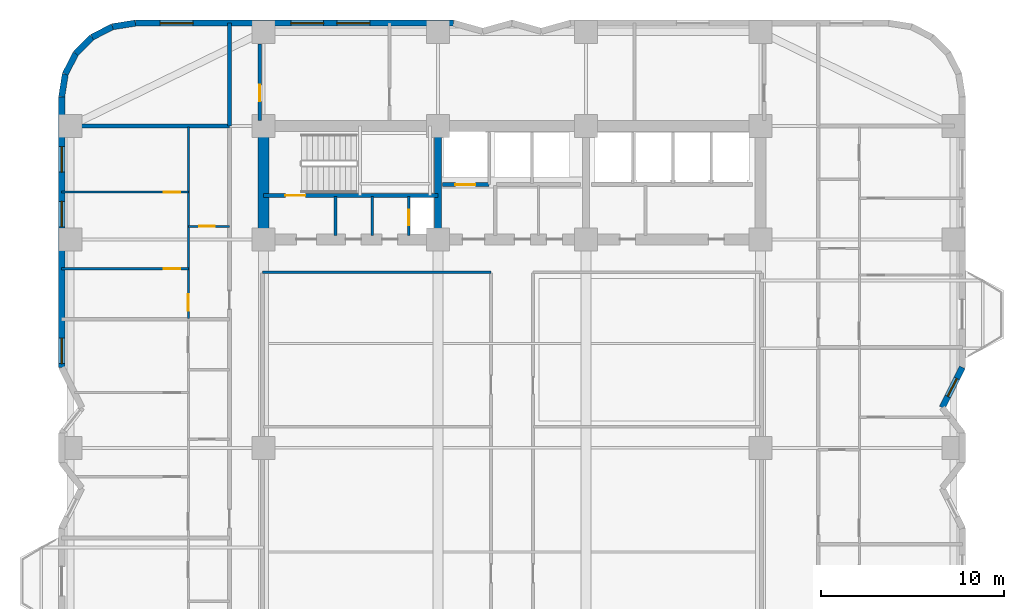
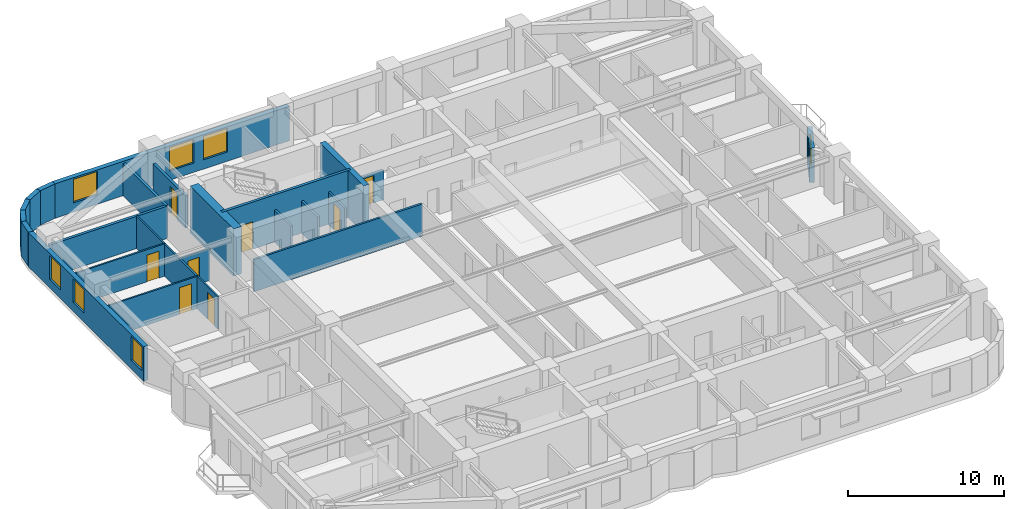
# One storey, part 6 of 10: 23 walls, 8 doors, 7 windows, 15 openings.
"""IFC4 building model written with IfcOpenShell, lengths in metres."""

from ifc_helpers import new_model, si_unit, direction, frame, frame_2d, origin, place, context, subcontext, project, spatial, rectangle, extrude, material, layer, layer_set, type_object, element, fill, save


model = new_model("IFC4")

# Units and contexts
model_context = context("Model", 3, precision=1e-05, world=origin(), true_north=direction((0.0, 1.0)))
body_context = subcontext(model_context, "Body", "Model", "MODEL_VIEW")
ifc_project = project(units=[si_unit("LENGTHUNIT", "METRE"), si_unit("AREAUNIT", "SQUARE_METRE"), si_unit("VOLUMEUNIT", "CUBIC_METRE"), si_unit("PLANEANGLEUNIT", "RADIAN"), si_unit("MASSUNIT", "GRAM", prefix="KILO")], contexts=[model_context])

# Site, building, storey
site_placement = place(None, origin())
site = spatial("IfcSite", under=ifc_project, at=site_placement, CompositionType="ELEMENT")
building_placement = place(site_placement, origin())
building = spatial("IfcBuilding", under=site, at=building_placement, Name="Svetorya Sky Lyceum", CompositionType="ELEMENT")
storey_placement = place(building_placement, frame((0.0, 0.0, 69.5)))
storey = spatial("IfcBuildingStorey", under=building, at=storey_placement, Name="L17", CompositionType="ELEMENT", Elevation=69.5)

# Walls
ifc_material_1 = material(Name="Concrete C40/50", Category="concrete")
ifc_layer_1 = layer(ifc_material_1, 0.39990234375)
ifc_layer_set_1 = layer_set([ifc_layer_1], Name="Concrete C40/50")
wall_type_1 = type_object("IfcWallType", Name="WL-CORE-400", PredefinedType="SHEAR", material=ifc_layer_set_1)
wall_1_placement = place(storey_placement, frame((35.14990234375, 39.89990234375, 0.0), z_axis=(0.0, 0.0, 1.0), x_axis=(0.0, 1.0, 0.0)))
element("IfcWall", 1, at=wall_1_placement, inside=storey, type_object=wall_type_1, Name="L17 NC Internal Shear Web WEB1", PredefinedType="SHEAR", context=body_context, shape_type="SweptSolid", body=[
    extrude(rectangle(XDim=5.60009765625, YDim=0.39990234375, at=frame_2d((2.800048828125, 0.0))), origin(), (0.0, 0.0, 1.0), 3.699951171875),
])
ifc_material_2 = material(Name="Concrete C60/75", Category="concrete")
ifc_layer_2 = layer(ifc_material_2, 0.60009765625)
ifc_layer_set_2 = layer_set([ifc_layer_2], Name="Concrete C60/75")
wall_type_2 = type_object("IfcWallType", Name="WL-CORE-600", PredefinedType="SHEAR", material=ifc_layer_set_2)
wall_2_placement = place(storey_placement, frame((25.60009765625, 39.89990234375, 0.0), z_axis=(0.0, 0.0, 1.0), x_axis=(0.0, 1.0, 0.0)))
element("IfcWall", 2, at=wall_2_placement, inside=storey, type_object=wall_type_2, Name="L17 NC West Core Shear Wall", PredefinedType="SHEAR", context=body_context, shape_type="SweptSolid", body=[
    extrude(rectangle(XDim=5.60009765625, YDim=0.60009765625, at=frame_2d((2.800048828125, 0.0))), origin(), (0.0, 0.0, 1.0), 3.699951171875),
])

# Wall, opening, window
ifc_material_3 = material(Name="Putilovo limestone rainscreen on autoclaved cellular masonry", Category="masonry")
ifc_layer_3 = layer(ifc_material_3, 0.340087890625)
ifc_layer_set_3 = layer_set([ifc_layer_3], Name="Putilovo limestone rainscreen on autoclaved cellular masonry")
wall_type_3 = type_object("IfcWallType", Name="WL-EXT-340", PredefinedType="SOLIDWALL", material=ifc_layer_set_3)
wall_3_placement = place(storey_placement, frame((62.72998046875, 30.39990234375, 0.0), z_axis=(0.0, 0.0, 1.0), x_axis=(0.4472135955, 0.894427191, 0.0)))
wall_3 = element("IfcWall", 3, at=wall_3_placement, inside=storey, type_object=wall_type_3, Name="L17 Limestone Exterior Wall 22M", PredefinedType="SOLIDWALL", context=body_context, shape_type="SweptSolid", body=[
    extrude(rectangle(XDim=2.4599609375, YDim=0.340087890625, at=frame_2d((1.22998046875, 0.0))), origin(), (0.0, 0.0, 1.0), 2.699951171875),
])
opening_1_placement = place(wall_3_placement, frame((0.6796875, 0.0, 0.889892578125)))
opening_1 = element("IfcOpeningElement", 4, at=opening_1_placement, cuts=wall_3, Name="Opening W-R3", PredefinedType="OPENING", context=body_context, shape_type="SweptSolid", body=[
    extrude(rectangle(XDim=1.10009765625, YDim=1.64990234375, at=frame_2d((0.550048828125, 0.824951171875))), frame((0.0, 0.179931640625, 0.0), z_axis=(0.0, -1.0, 0.0), x_axis=(1.0, 0.0, 0.0)), (0.0, 0.0, 1.0), 0.360107421875),
])
ifc_material_4 = material(Name="Thermally broken aluminium frame with triple low-E glazing", Category="aluminium")
window_type_1 = type_object("IfcWindowType", Name="WN-RES-110", PartitioningType="SINGLE_PANEL", PredefinedType="WINDOW", material=ifc_material_4)
window_1_placement = place(opening_1_placement, origin())
window_1 = element("IfcWindow", 5, at=window_1_placement, inside=storey, type_object=window_type_1, Name="L17 Facade Window W-R3.22M.1", OverallHeight=1.64990234375, OverallWidth=1.10009765625, PartitioningType="SINGLE_PANEL", PredefinedType="WINDOW", context=body_context, shape_type="SweptSolid", body=[
    extrude(rectangle(XDim=1.10009765625, YDim=1.64990234375, at=frame_2d((0.550048828125, 0.824951171875))), frame((0.0, 0.030029296875, 0.0), z_axis=(0.0, -1.0, 0.0), x_axis=(1.0, 0.0, 0.0)), (0.0, 0.0, 1.0), 0.06005859375),
])
fill(opening_1, window_1)

# Wall, openings, windows
wall_4_placement = place(storey_placement, frame((36.0, 51.429931640625, 0.0), z_axis=(0.0, 0.0, 1.0), x_axis=(-1.0, 0.0, 0.0)))
wall_4 = element("IfcWall", 6, at=wall_4_placement, inside=storey, type_object=wall_type_3, Name="L17 Limestone Exterior Wall 34M", PredefinedType="SOLIDWALL", context=body_context, shape_type="SweptSolid", body=[
    extrude(rectangle(XDim=17.39990234375, YDim=0.340087890625, at=frame_2d((8.699951171875, 0.0))), origin(), (0.0, 0.0, 1.0), 2.699951171875),
])
opening_2_placement = place(wall_4_placement, frame((4.580078125, 0.0, 0.72998046875)))
opening_2 = element("IfcOpeningElement", 7, at=opening_2_placement, cuts=wall_4, Name="Opening W-R1", PredefinedType="OPENING", context=body_context, shape_type="SweptSolid", body=[
    extrude(rectangle(XDim=1.800048828125, YDim=1.85009765625, at=frame_2d((0.89990234375, 0.925048828125))), frame((0.0, 0.179931640625, 0.0), z_axis=(0.0, -1.0, 0.0), x_axis=(1.0, 0.0, 0.0)), (0.0, 0.0, 1.0), 0.360107421875),
])
opening_3_placement = place(wall_4_placement, frame((7.10009765625, 0.0, 0.72998046875)))
opening_3 = element("IfcOpeningElement", 8, at=opening_3_placement, cuts=wall_4, Name="Opening W-R1", PredefinedType="OPENING", context=body_context, shape_type="SweptSolid", body=[
    extrude(rectangle(XDim=1.800048828125, YDim=1.85009765625, at=frame_2d((0.89990234375, 0.925048828125))), frame((0.0, 0.179931640625, 0.0), z_axis=(0.0, -1.0, 0.0), x_axis=(1.0, 0.0, 0.0)), (0.0, 0.0, 1.0), 0.360107421875),
])
opening_4_placement = place(wall_4_placement, frame((14.239990234375, 0.0, 0.72998046875)))
opening_4 = element("IfcOpeningElement", 9, at=opening_4_placement, cuts=wall_4, Name="Opening W-R1", PredefinedType="OPENING", context=body_context, shape_type="SweptSolid", body=[
    extrude(rectangle(XDim=1.800048828125, YDim=1.85009765625, at=frame_2d((0.89990234375, 0.925048828125))), frame((0.0, 0.179931640625, 0.0), z_axis=(0.0, -1.0, 0.0), x_axis=(1.0, 0.0, 0.0)), (0.0, 0.0, 1.0), 0.360107421875),
])
window_type_2 = type_object("IfcWindowType", Name="WN-RES-180", PartitioningType="DOUBLE_PANEL_VERTICAL", PredefinedType="WINDOW", material=ifc_material_4)
window_2_placement = place(opening_2_placement, origin())
window_2 = element("IfcWindow", 10, at=window_2_placement, inside=storey, type_object=window_type_2, Name="L17 Facade Window W-R1.34M.1", OverallHeight=1.85009765625, OverallWidth=1.800048828125, PartitioningType="SINGLE_PANEL", PredefinedType="WINDOW", context=body_context, shape_type="SweptSolid", body=[
    extrude(rectangle(XDim=1.800048828125, YDim=1.85009765625, at=frame_2d((0.89990234375, 0.925048828125))), frame((0.0, 0.030029296875, 0.0), z_axis=(0.0, -1.0, 0.0), x_axis=(1.0, 0.0, 0.0)), (0.0, 0.0, 1.0), 0.06005859375),
])
fill(opening_2, window_2)
window_3_placement = place(opening_3_placement, origin())
window_3 = element("IfcWindow", 11, at=window_3_placement, inside=storey, type_object=window_type_2, Name="L17 Facade Window W-R1.34M.2", OverallHeight=1.85009765625, OverallWidth=1.800048828125, PartitioningType="SINGLE_PANEL", PredefinedType="WINDOW", context=body_context, shape_type="SweptSolid", body=[
    extrude(rectangle(XDim=1.800048828125, YDim=1.85009765625, at=frame_2d((0.89990234375, 0.925048828125))), frame((0.0, 0.030029296875, 0.0), z_axis=(0.0, -1.0, 0.0), x_axis=(1.0, 0.0, 0.0)), (0.0, 0.0, 1.0), 0.06005859375),
])
fill(opening_3, window_3)
window_4_placement = place(opening_4_placement, origin())
window_4 = element("IfcWindow", 12, at=window_4_placement, inside=storey, type_object=window_type_2, Name="L17 Facade Window W-R1.34M.3", OverallHeight=1.85009765625, OverallWidth=1.800048828125, PartitioningType="SINGLE_PANEL", PredefinedType="WINDOW", context=body_context, shape_type="SweptSolid", body=[
    extrude(rectangle(XDim=1.800048828125, YDim=1.85009765625, at=frame_2d((0.89990234375, 0.925048828125))), frame((0.0, 0.030029296875, 0.0), z_axis=(0.0, -1.0, 0.0), x_axis=(1.0, 0.0, 0.0)), (0.0, 0.0, 1.0), 0.06005859375),
])
fill(opening_4, window_4)

# Walls
wall_5_placement = place(storey_placement, frame((18.60009765625, 51.429931640625, 0.0), z_axis=(0.0, 0.0, 1.0), x_axis=(-0.98771582066, -0.156260864002, 0.0)))
element("IfcWall", 13, at=wall_5_placement, inside=storey, type_object=wall_type_3, Name="L17 Limestone Exterior Wall 35M", PredefinedType="SOLIDWALL", context=body_context, shape_type="SweptSolid", body=[
    extrude(rectangle(XDim=1.2607421875, YDim=0.340087890625, at=frame_2d((0.63037109375, 0.0))), origin(), (0.0, 0.0, 1.0), 2.699951171875),
])
for number, where, z_axis, x_axis, name in (
    (14, (17.354736328125, 51.23291015625, 0.0), (0.0, 0.0, 1.0), (-0.890993689142, -0.454015689056, 0.0), "L17 Limestone Exterior Wall 36M"),
    (15, (16.231201171875, 50.660400390625, 0.0), (0.0, 0.0, 1.0), (-0.707106781187, -0.707106781187, 0.0), "L17 Limestone Exterior Wall 37M"),
    (16, (15.339599609375, 49.768798828125, 0.0), (0.0, 0.0, 1.0), (-0.454015689056, -0.890993689142, 0.0), "L17 Limestone Exterior Wall 38M"),
):
    element("IfcWall", number, at=place(storey_placement, frame(where, z_axis=z_axis, x_axis=x_axis)), inside=storey, type_object=wall_type_3, Name=name, PredefinedType="SOLIDWALL", context=body_context, shape_type="SweptSolid", body=[
        extrude(rectangle(XDim=1.260986328125, YDim=0.340087890625, at=frame_2d((0.63037109375, 0.0))), origin(), (0.0, 0.0, 1.0), 2.699951171875),
    ])
wall_6_placement = place(storey_placement, frame((14.76708984375, 48.645263671875, 0.0), z_axis=(0.0, 0.0, 1.0), x_axis=(-0.156260864002, -0.98771582066, 0.0)))
element("IfcWall", 17, at=wall_6_placement, inside=storey, type_object=wall_type_3, Name="L17 Limestone Exterior Wall 39M", PredefinedType="SOLIDWALL", context=body_context, shape_type="SweptSolid", body=[
    extrude(rectangle(XDim=1.2607421875, YDim=0.340087890625, at=frame_2d((0.63037109375, 0.0))), origin(), (0.0, 0.0, 1.0), 2.699951171875),
])

# Wall, openings, windows
wall_7_placement = place(storey_placement, frame((14.570068359375, 47.39990234375, 0.0), z_axis=(0.0, 0.0, 1.0), x_axis=(0.0, -1.0, 0.0)))
wall_7 = element("IfcWall", 18, at=wall_7_placement, inside=storey, type_object=wall_type_3, Name="L17 Limestone Exterior Wall 40M", PredefinedType="SOLIDWALL", context=body_context, shape_type="SweptSolid", body=[
    extrude(rectangle(XDim=14.7998046875, YDim=0.340087890625, at=frame_2d((7.39990234375, 0.0))), origin(), (0.0, 0.0, 1.0), 2.699951171875),
])
opening_5_placement = place(wall_7_placement, frame((2.719970703125, 0.0, 0.68994140625)))
opening_5 = element("IfcOpeningElement", 19, at=opening_5_placement, cuts=wall_7, Name="Opening W-R2", PredefinedType="OPENING", context=body_context, shape_type="SweptSolid", body=[
    extrude(rectangle(XDim=1.39990234375, YDim=1.85009765625, at=frame_2d((0.699951171875, 0.925048828125))), frame((0.0, 0.179931640625, 0.0), z_axis=(0.0, -1.0, 0.0), x_axis=(1.0, 0.0, 0.0)), (0.0, 0.0, 1.0), 0.360107421875),
])
opening_6_placement = place(wall_7_placement, frame((5.719970703125, 0.0, 0.68994140625)))
opening_6 = element("IfcOpeningElement", 20, at=opening_6_placement, cuts=wall_7, Name="Opening W-R2", PredefinedType="OPENING", context=body_context, shape_type="SweptSolid", body=[
    extrude(rectangle(XDim=1.39990234375, YDim=1.85009765625, at=frame_2d((0.699951171875, 0.925048828125))), frame((0.0, 0.179931640625, 0.0), z_axis=(0.0, -1.0, 0.0), x_axis=(1.0, 0.0, 0.0)), (0.0, 0.0, 1.0), 0.360107421875),
])
opening_7_placement = place(wall_7_placement, frame((13.199951171875, 0.0, 0.68994140625)))
opening_7 = element("IfcOpeningElement", 21, at=opening_7_placement, cuts=wall_7, Name="Opening W-R2", PredefinedType="OPENING", context=body_context, shape_type="SweptSolid", body=[
    extrude(rectangle(XDim=1.39990234375, YDim=1.85009765625, at=frame_2d((0.699951171875, 0.925048828125))), frame((0.0, 0.179931640625, 0.0), z_axis=(0.0, -1.0, 0.0), x_axis=(1.0, 0.0, 0.0)), (0.0, 0.0, 1.0), 0.360107421875),
])
window_type_3 = type_object("IfcWindowType", Name="WN-RES-140", PartitioningType="SINGLE_PANEL", PredefinedType="WINDOW", material=ifc_material_4)
window_5_placement = place(opening_5_placement, origin())
window_5 = element("IfcWindow", 22, at=window_5_placement, inside=storey, type_object=window_type_3, Name="L17 Facade Window W-R2.40M.3", OverallHeight=1.85009765625, OverallWidth=1.39990234375, PartitioningType="SINGLE_PANEL", PredefinedType="WINDOW", context=body_context, shape_type="SweptSolid", body=[
    extrude(rectangle(XDim=1.39990234375, YDim=1.85009765625, at=frame_2d((0.699951171875, 0.925048828125))), frame((0.0, 0.030029296875, 0.0), z_axis=(0.0, -1.0, 0.0), x_axis=(1.0, 0.0, 0.0)), (0.0, 0.0, 1.0), 0.06005859375),
])
fill(opening_5, window_5)
window_6_placement = place(opening_6_placement, origin())
window_6 = element("IfcWindow", 23, at=window_6_placement, inside=storey, type_object=window_type_3, Name="L17 Facade Window W-R2.40M.2", OverallHeight=1.85009765625, OverallWidth=1.39990234375, PartitioningType="SINGLE_PANEL", PredefinedType="WINDOW", context=body_context, shape_type="SweptSolid", body=[
    extrude(rectangle(XDim=1.39990234375, YDim=1.85009765625, at=frame_2d((0.699951171875, 0.925048828125))), frame((0.0, 0.030029296875, 0.0), z_axis=(0.0, -1.0, 0.0), x_axis=(1.0, 0.0, 0.0)), (0.0, 0.0, 1.0), 0.06005859375),
])
fill(opening_6, window_6)
window_7_placement = place(opening_7_placement, origin())
window_7 = element("IfcWindow", 24, at=window_7_placement, inside=storey, type_object=window_type_3, Name="L17 Facade Window W-R2.40M.1", OverallHeight=1.85009765625, OverallWidth=1.39990234375, PartitioningType="SINGLE_PANEL", PredefinedType="WINDOW", context=body_context, shape_type="SweptSolid", body=[
    extrude(rectangle(XDim=1.39990234375, YDim=1.85009765625, at=frame_2d((0.699951171875, 0.925048828125))), frame((0.0, 0.030029296875, 0.0), z_axis=(0.0, -1.0, 0.0), x_axis=(1.0, 0.0, 0.0)), (0.0, 0.0, 1.0), 0.06005859375),
])
fill(opening_7, window_7)

# Wall, opening, door
ifc_material_5 = material(Name="Twin-stud galvanized framing with double fireboard", Category="gypsum")
ifc_layer_4 = layer(ifc_material_5, 0.1201171875)
ifc_layer_set_4 = layer_set([ifc_layer_4], Name="Twin-stud galvanized framing with double fireboard")
wall_type_4 = type_object("IfcWallType", Name="WL-PART-120", PredefinedType="PARTITIONING", material=ifc_layer_set_4)
wall_8_placement = place(storey_placement, frame((21.5, 40.31005859375, 0.0), z_axis=(0.0, 0.0, 1.0), x_axis=(1.0, 0.0, 0.0)))
wall_8 = element("IfcWall", 25, at=wall_8_placement, inside=storey, type_object=wall_type_4, Name="L17 Interior Partition W3-WH1", PredefinedType="PARTITIONING", context=body_context, shape_type="SweptSolid", body=[
    extrude(rectangle(XDim=2.25, YDim=0.1201171875, at=frame_2d((1.125, 0.0))), origin(), (0.0, 0.0, 1.0), 2.530029296875),
])
opening_8_placement = place(wall_8_placement, frame((0.60009765625, 0.0, 0.0)))
opening_8 = element("IfcOpeningElement", 26, at=opening_8_placement, cuts=wall_8, Name="Opening D-BT1", PredefinedType="OPENING", context=body_context, shape_type="SweptSolid", body=[
    extrude(rectangle(XDim=0.85009765625, YDim=2.10009765625, at=frame_2d((0.425048828125, 1.050048828125))), frame((0.0, 0.070068359375, 0.0), z_axis=(0.0, -1.0, 0.0), x_axis=(1.0, 0.0, 0.0)), (0.0, 0.0, 1.0), 0.14013671875),
])
ifc_material_6 = material(Name="Moisture-resistant laminate bathroom door")
door_type_1 = type_object("IfcDoorType", Name="DR-WET-850", OperationType="SINGLE_SWING_LEFT", PredefinedType="DOOR", material=ifc_material_6)
door_1_placement = place(opening_8_placement, origin())
door_1 = element("IfcDoor", 27, at=door_1_placement, inside=storey, type_object=door_type_1, Name="Apartment W3 Bathroom Door", OperationType="SINGLE_SWING_LEFT", OverallHeight=2.10009765625, OverallWidth=0.85009765625, PredefinedType="DOOR", context=body_context, shape_type="SweptSolid", body=[
    extrude(rectangle(XDim=0.85009765625, YDim=2.10009765625, at=frame_2d((0.425048828125, 1.050048828125))), frame((0.0, 0.02490234375, 0.0), z_axis=(0.0, -1.0, 0.0), x_axis=(1.0, 0.0, 0.0)), (0.0, 0.0, 1.0), 0.050048828125),
])
fill(opening_8, door_1)

wall_9_placement = place(storey_placement, frame((14.570068359375, 37.989990234375, 0.0), z_axis=(0.0, 0.0, 1.0), x_axis=(1.0, 0.0, 0.0)))
wall_9 = element("IfcWall", 28, at=wall_9_placement, inside=storey, type_object=wall_type_4, Name="L17 Interior Partition W3-WL1", PredefinedType="PARTITIONING", context=body_context, shape_type="SweptSolid", body=[
    extrude(rectangle(XDim=6.929931640625, YDim=0.1201171875, at=frame_2d((3.46484375, 0.0))), origin(), (0.0, 0.0, 1.0), 2.530029296875),
])
opening_9_placement = place(wall_9_placement, frame((5.580078125, 0.0, 0.0)))
opening_9 = element("IfcOpeningElement", 29, at=opening_9_placement, cuts=wall_9, Name="Opening D-RM1", PredefinedType="OPENING", context=body_context, shape_type="SweptSolid", body=[
    extrude(rectangle(XDim=0.89990234375, YDim=2.10009765625, at=frame_2d((0.449951171875, 1.050048828125))), frame((0.0, 0.070068359375, 0.0), z_axis=(0.0, -1.0, 0.0), x_axis=(1.0, 0.0, 0.0)), (0.0, 0.0, 1.0), 0.14013671875),
])
ifc_material_7 = material(Name="Lacquered birch veneer internal door")
door_type_2 = type_object("IfcDoorType", Name="DR-INT-900", OperationType="SINGLE_SWING_LEFT", PredefinedType="DOOR", material=ifc_material_7)
door_2_placement = place(opening_9_placement, origin())
door_2 = element("IfcDoor", 30, at=door_2_placement, inside=storey, type_object=door_type_2, Name="Apartment W3 Master Bedroom Door", OperationType="SINGLE_SWING_LEFT", OverallHeight=2.10009765625, OverallWidth=0.89990234375, PredefinedType="DOOR", context=body_context, shape_type="SweptSolid", body=[
    extrude(rectangle(XDim=0.89990234375, YDim=2.10009765625, at=frame_2d((0.449951171875, 1.050048828125))), frame((0.0, 0.02490234375, 0.0), z_axis=(0.0, -1.0, 0.0), x_axis=(1.0, 0.0, 0.0)), (0.0, 0.0, 1.0), 0.050048828125),
])
fill(opening_9, door_2)

wall_10_placement = place(storey_placement, frame((14.570068359375, 42.18994140625, 0.0), z_axis=(0.0, 0.0, 1.0), x_axis=(1.0, 0.0, 0.0)))
wall_10 = element("IfcWall", 31, at=wall_10_placement, inside=storey, type_object=wall_type_4, Name="L17 Interior Partition W3-WL2", PredefinedType="PARTITIONING", context=body_context, shape_type="SweptSolid", body=[
    extrude(rectangle(XDim=6.929931640625, YDim=0.1201171875, at=frame_2d((3.46484375, 0.0))), origin(), (0.0, 0.0, 1.0), 2.530029296875),
])
opening_10_placement = place(wall_10_placement, frame((5.580078125, 0.0, 0.0)))
opening_10 = element("IfcOpeningElement", 32, at=opening_10_placement, cuts=wall_10, Name="Opening D-RM1", PredefinedType="OPENING", context=body_context, shape_type="SweptSolid", body=[
    extrude(rectangle(XDim=0.89990234375, YDim=2.10009765625, at=frame_2d((0.449951171875, 1.050048828125))), frame((0.0, 0.070068359375, 0.0), z_axis=(0.0, -1.0, 0.0), x_axis=(1.0, 0.0, 0.0)), (0.0, 0.0, 1.0), 0.14013671875),
])
door_3_placement = place(opening_10_placement, origin())
door_3 = element("IfcDoor", 33, at=door_3_placement, inside=storey, type_object=door_type_2, Name="Apartment W3 Bedroom 2 Door", OperationType="SINGLE_SWING_RIGHT", OverallHeight=2.10009765625, OverallWidth=0.89990234375, PredefinedType="DOOR", context=body_context, shape_type="SweptSolid", body=[
    extrude(rectangle(XDim=0.89990234375, YDim=2.10009765625, at=frame_2d((0.449951171875, 1.050048828125))), frame((0.0, 0.02490234375, 0.0), z_axis=(0.0, -1.0, 0.0), x_axis=(1.0, 0.0, 0.0)), (0.0, 0.0, 1.0), 0.050048828125),
])
fill(opening_10, door_3)

wall_11_placement = place(storey_placement, frame((21.5, 35.280029296875, 0.0), z_axis=(0.0, 0.0, 1.0), x_axis=(0.0, 1.0, 0.0)))
wall_11 = element("IfcWall", 34, at=wall_11_placement, inside=storey, type_object=wall_type_4, Name="L17 Interior Partition W3-WV", PredefinedType="PARTITIONING", context=body_context, shape_type="SweptSolid", body=[
    extrude(rectangle(XDim=10.47998046875, YDim=0.1201171875, at=frame_2d((5.239990234375, 0.0))), origin(), (0.0, 0.0, 1.0), 2.530029296875),
])
opening_11_placement = place(wall_11_placement, frame((0.409912109375, 0.0, 0.0)))
opening_11 = element("IfcOpeningElement", 35, at=opening_11_placement, cuts=wall_11, Name="Opening D-RM1", PredefinedType="OPENING", context=body_context, shape_type="SweptSolid", body=[
    extrude(rectangle(XDim=0.89990234375, YDim=2.10009765625, at=frame_2d((0.449951171875, 1.050048828125))), frame((0.0, 0.070068359375, 0.0), z_axis=(0.0, -1.0, 0.0), x_axis=(1.0, 0.0, 0.0)), (0.0, 0.0, 1.0), 0.14013671875),
])
door_4_placement = place(opening_11_placement, origin())
door_4 = element("IfcDoor", 36, at=door_4_placement, inside=storey, type_object=door_type_2, Name="Apartment W3 Living Door", OperationType="SINGLE_SWING_RIGHT", OverallHeight=2.10009765625, OverallWidth=0.89990234375, PredefinedType="DOOR", context=body_context, shape_type="SweptSolid", body=[
    extrude(rectangle(XDim=0.89990234375, YDim=2.10009765625, at=frame_2d((0.449951171875, 1.050048828125))), frame((0.0, 0.02490234375, 0.0), z_axis=(0.0, -1.0, 0.0), x_axis=(1.0, 0.0, 0.0)), (0.0, 0.0, 1.0), 0.050048828125),
])
fill(opening_11, door_4)

ifc_material_8 = material(Name="Autoclaved cellular masonry blockwork with acoustic render", Category="masonry")
ifc_layer_5 = layer(ifc_material_8, 0.14990234375)
ifc_layer_set_5 = layer_set([ifc_layer_5], Name="Autoclaved cellular masonry blockwork with acoustic render")
wall_type_5 = type_object("IfcWallType", Name="WL-PART-150", PredefinedType="PARTITIONING", material=ifc_layer_set_5)
wall_12_placement = place(storey_placement, frame((33.550048828125, 39.820068359375, 0.0), z_axis=(0.0, 0.0, 1.0), x_axis=(0.0, 1.0, 0.0)))
wall_12 = element("IfcWall", 37, at=wall_12_placement, inside=storey, type_object=wall_type_5, Name="L17 Interior Partition NC-RSRW", PredefinedType="PARTITIONING", context=body_context, shape_type="SweptSolid", body=[
    extrude(rectangle(XDim=2.1298828125, YDim=0.14990234375, at=frame_2d((1.06494140625, 0.0))), origin(), (0.0, 0.0, 1.0), 2.530029296875),
])
opening_12_placement = place(wall_12_placement, frame((0.550048828125, 0.0, 0.0)))
opening_12 = element("IfcOpeningElement", 38, at=opening_12_placement, cuts=wall_12, Name="Opening D-SH1", PredefinedType="OPENING", context=body_context, shape_type="SweptSolid", body=[
    extrude(rectangle(XDim=0.85009765625, YDim=2.050048828125, at=frame_2d((0.425048828125, 1.02490234375))), frame((0.0, 0.0849609375, 0.0), z_axis=(0.0, -1.0, 0.0), x_axis=(1.0, 0.0, 0.0)), (0.0, 0.0, 1.0), 0.169921875),
])
ifc_material_9 = material(Name="Insulated galvanized riser inspection fire door")
door_type_3 = type_object("IfcDoorType", Name="DR-SHFT-850", OperationType="SINGLE_SWING_LEFT", PredefinedType="TRAPDOOR", material=ifc_material_9)
door_5_placement = place(opening_12_placement, origin())
door_5 = element("IfcDoor", 39, at=door_5_placement, inside=storey, type_object=door_type_3, Name="L17 North Riser Access Door", OperationType="SINGLE_SWING_LEFT", OverallHeight=2.050048828125, OverallWidth=0.85009765625, PredefinedType="TRAPDOOR", context=body_context, shape_type="SweptSolid", body=[
    extrude(rectangle(XDim=0.85009765625, YDim=2.050048828125, at=frame_2d((0.425048828125, 1.02490234375))), frame((0.0, 0.02490234375, 0.0), z_axis=(0.0, -1.0, 0.0), x_axis=(1.0, 0.0, 0.0)), (0.0, 0.0, 1.0), 0.050048828125),
])
fill(opening_12, door_5)

# Walls
for number, where, z_axis, x_axis, name in (
    (40, (29.550048828125, 39.820068359375, 0.0), (0.0, 0.0, 1.0), (0.0, 1.0, 0.0), "L17 Interior Partition NC-NWD1"),
    (41, (31.550048828125, 39.820068359375, 0.0), (0.0, 0.0, 1.0), (0.0, 1.0, 0.0), "L17 Interior Partition NC-NWD2"),
):
    element("IfcWall", number, at=place(storey_placement, frame(where, z_axis=z_axis, x_axis=x_axis)), inside=storey, type_object=wall_type_5, Name=name, PredefinedType="PARTITIONING", context=body_context, shape_type="SweptSolid", body=[
        extrude(rectangle(XDim=2.1298828125, YDim=0.14990234375, at=frame_2d((1.06494140625, 0.0))), origin(), (0.0, 0.0, 1.0), 2.530029296875),
    ])
wall_13_placement = place(storey_placement, frame((25.550048828125, 37.800048828125, 0.0), z_axis=(0.0, 0.0, 1.0), x_axis=(1.0, 0.0, 0.0)))
element("IfcWall", 42, at=wall_13_placement, inside=storey, type_object=wall_type_5, Name="L17 Interior Partition CN-MID-W", PredefinedType="PARTITIONING", context=body_context, shape_type="SweptSolid", body=[
    extrude(rectangle(XDim=12.5, YDim=0.14990234375, at=frame_2d((6.25, 0.0))), origin(), (0.0, 0.0, 1.0), 2.530029296875),
])

# Wall, opening, door
ifc_material_10 = material(Name="Autoclaved cellular masonry blockwork with gypsum plaster", Category="masonry")
ifc_layer_6 = layer(ifc_material_10, 0.199951171875)
ifc_layer_set_6 = layer_set([ifc_layer_6], Name="Autoclaved cellular masonry blockwork with gypsum plaster")
wall_type_6 = type_object("IfcWallType", Name="WL-PART-200", PredefinedType="PARTITIONING", material=ifc_layer_set_6)
wall_14_placement = place(storey_placement, frame((37.949951171875, 42.60009765625, 0.0), z_axis=(0.0, 0.0, 1.0), x_axis=(-1.0, 0.0, 0.0)))
wall_14 = element("IfcWall", 43, at=wall_14_placement, inside=storey, type_object=wall_type_6, Name="L17 Interior Partition NC-FL1W", PredefinedType="PARTITIONING", context=body_context, shape_type="SweptSolid", body=[
    extrude(rectangle(XDim=2.550048828125, YDim=0.199951171875, at=frame_2d((1.27490234375, 0.0))), origin(), (0.0, 0.0, 1.0), 2.300048828125),
])
opening_13_placement = place(wall_14_placement, frame((0.75, 0.0, 0.0)))
opening_13 = element("IfcOpeningElement", 44, at=opening_13_placement, cuts=wall_14, Name="Opening LD-FL", PredefinedType="OPENING", context=body_context, shape_type="SweptSolid", body=[
    extrude(rectangle(XDim=1.10009765625, YDim=2.14990234375, at=frame_2d((0.550048828125, 1.074951171875))), frame((0.0, 0.10986328125, 0.0), z_axis=(0.0, -1.0, 0.0), x_axis=(1.0, 0.0, 0.0)), (0.0, 0.0, 1.0), 0.219970703125),
])
ifc_material_11 = material(Name="Fire-rated stainless AISI 304 firefighting lift landing door")
door_type_4 = type_object("IfcDoorType", Name="DR-LIFT-1100", OperationType="SLIDING_TO_LEFT", PredefinedType="DOOR", material=ifc_material_11)
door_6_placement = place(opening_13_placement, origin())
door_6 = element("IfcDoor", 45, at=door_6_placement, inside=storey, type_object=door_type_4, Name="L17 Firefighting Lift FL1 Landing Door", OperationType="SLIDING_TO_LEFT", OverallHeight=2.14990234375, OverallWidth=1.10009765625, PredefinedType="DOOR", context=body_context, shape_type="SweptSolid", body=[
    extrude(rectangle(XDim=1.10009765625, YDim=2.14990234375, at=frame_2d((0.550048828125, 1.074951171875))), frame((0.0, 0.02490234375, 0.0), z_axis=(0.0, -1.0, 0.0), x_axis=(1.0, 0.0, 0.0)), (0.0, 0.0, 1.0), 0.050048828125),
])
fill(opening_13, door_6)

# Walls
wall_15_placement = place(storey_placement, frame((14.989990234375, 45.800048828125, 0.0), z_axis=(0.0, 0.0, 1.0), x_axis=(1.0, 0.0, 0.0)))
element("IfcWall", 46, at=wall_15_placement, inside=storey, type_object=wall_type_6, Name="L17 Interior Partition W-CAP-N", PredefinedType="PARTITIONING", context=body_context, shape_type="SweptSolid", body=[
    extrude(rectangle(XDim=8.760009765625, YDim=0.199951171875, at=frame_2d((4.3798828125, 0.0))), origin(), (0.0, 0.0, 1.0), 2.530029296875),
])
wall_16_placement = place(storey_placement, frame((23.75, 45.800048828125, 0.0), z_axis=(0.0, 0.0, 1.0), x_axis=(0.0, 1.0, 0.0)))
element("IfcWall", 47, at=wall_16_placement, inside=storey, type_object=wall_type_6, Name="L17 Interior Partition WC-NW-END", PredefinedType="PARTITIONING", context=body_context, shape_type="SweptSolid", body=[
    extrude(rectangle(XDim=5.6298828125, YDim=0.199951171875, at=frame_2d((2.81494140625, 0.0))), origin(), (0.0, 0.0, 1.0), 2.530029296875),
])

# Wall, opening, door
wall_17_placement = place(storey_placement, frame((25.39990234375, 46.10009765625, 0.0), z_axis=(0.0, 0.0, 1.0), x_axis=(0.0, 1.0, 0.0)))
wall_17 = element("IfcWall", 48, at=wall_17_placement, inside=storey, type_object=wall_type_6, Name="L17 Interior Partition N-EW", PredefinedType="PARTITIONING", context=body_context, shape_type="SweptSolid", body=[
    extrude(rectangle(XDim=4.179931640625, YDim=0.199951171875, at=frame_2d((2.08984375, 0.0))), origin(), (0.0, 0.0, 1.0), 2.530029296875),
])
opening_14_placement = place(wall_17_placement, frame((1.050048828125, 0.0, 0.0)))
opening_14 = element("IfcOpeningElement", 49, at=opening_14_placement, cuts=wall_17, Name="Opening D-RM1", PredefinedType="OPENING", context=body_context, shape_type="SweptSolid", body=[
    extrude(rectangle(XDim=0.89990234375, YDim=2.10009765625, at=frame_2d((0.449951171875, 1.050048828125))), frame((0.0, 0.10986328125, 0.0), z_axis=(0.0, -1.0, 0.0), x_axis=(1.0, 0.0, 0.0)), (0.0, 0.0, 1.0), 0.219970703125),
])
door_7_placement = place(opening_14_placement, origin())
door_7 = element("IfcDoor", 50, at=door_7_placement, inside=storey, type_object=door_type_2, Name="L17 North Study Door", OperationType="SINGLE_SWING_RIGHT", OverallHeight=2.10009765625, OverallWidth=0.89990234375, PredefinedType="DOOR", context=body_context, shape_type="SweptSolid", body=[
    extrude(rectangle(XDim=0.89990234375, YDim=2.10009765625, at=frame_2d((0.449951171875, 1.050048828125))), frame((0.0, 0.02490234375, 0.0), z_axis=(0.0, -1.0, 0.0), x_axis=(1.0, 0.0, 0.0)), (0.0, 0.0, 1.0), 0.050048828125),
])
fill(opening_14, door_7)

ifc_material_12 = material(Name="Concrete C50/60", Category="concrete")
ifc_layer_7 = layer(ifc_material_12, 0.199951171875)
ifc_layer_set_7 = layer_set([ifc_layer_7], Name="Concrete C50/60")
wall_type_7 = type_object("IfcWallType", Name="WL-SHW-200", PredefinedType="SHEAR", material=ifc_layer_set_7)
wall_18_placement = place(storey_placement, frame((35.14990234375, 42.0, 0.0), z_axis=(0.0, 0.0, 1.0), x_axis=(-1.0, 0.0, 0.0)))
wall_18 = element("IfcWall", 51, at=wall_18_placement, inside=storey, type_object=wall_type_7, Name="L17 Structural Stair Shaft Wall NC-STW", PredefinedType="SHEAR", context=body_context, shape_type="SweptSolid", body=[
    extrude(rectangle(XDim=9.5498046875, YDim=0.199951171875, at=frame_2d((4.77490234375, 0.0))), origin(), (0.0, 0.0, 1.0), 3.699951171875),
])
opening_15_placement = place(wall_18_placement, frame((7.25, 0.0, 0.0)))
opening_15 = element("IfcOpeningElement", 52, at=opening_15_placement, cuts=wall_18, Name="Opening D-ST1", PredefinedType="OPENING", context=body_context, shape_type="SweptSolid", body=[
    extrude(rectangle(XDim=1.10009765625, YDim=2.14990234375, at=frame_2d((0.550048828125, 1.074951171875))), frame((0.0, 0.10986328125, 0.0), z_axis=(0.0, -1.0, 0.0), x_axis=(1.0, 0.0, 0.0)), (0.0, 0.0, 1.0), 0.219970703125),
])
ifc_material_13 = material(Name="Powder-coated insulated galvanized stair fire door")
door_type_5 = type_object("IfcDoorType", Name="DR-FIRE-1100", OperationType="SINGLE_SWING_LEFT", PredefinedType="DOOR", material=ifc_material_13)
door_8_placement = place(opening_15_placement, origin())
door_8 = element("IfcDoor", 53, at=door_8_placement, inside=storey, type_object=door_type_5, Name="L17 Stair ST-N Vestibule Fire Door", OperationType="SINGLE_SWING_RIGHT", OverallHeight=2.14990234375, OverallWidth=1.10009765625, PredefinedType="DOOR", context=body_context, shape_type="SweptSolid", body=[
    extrude(rectangle(XDim=1.10009765625, YDim=2.14990234375, at=frame_2d((0.550048828125, 1.074951171875))), frame((0.0, 0.02490234375, 0.0), z_axis=(0.0, -1.0, 0.0), x_axis=(1.0, 0.0, 0.0)), (0.0, 0.0, 1.0), 0.050048828125),
])
fill(opening_15, door_8)

save(model, "model.ifc")
